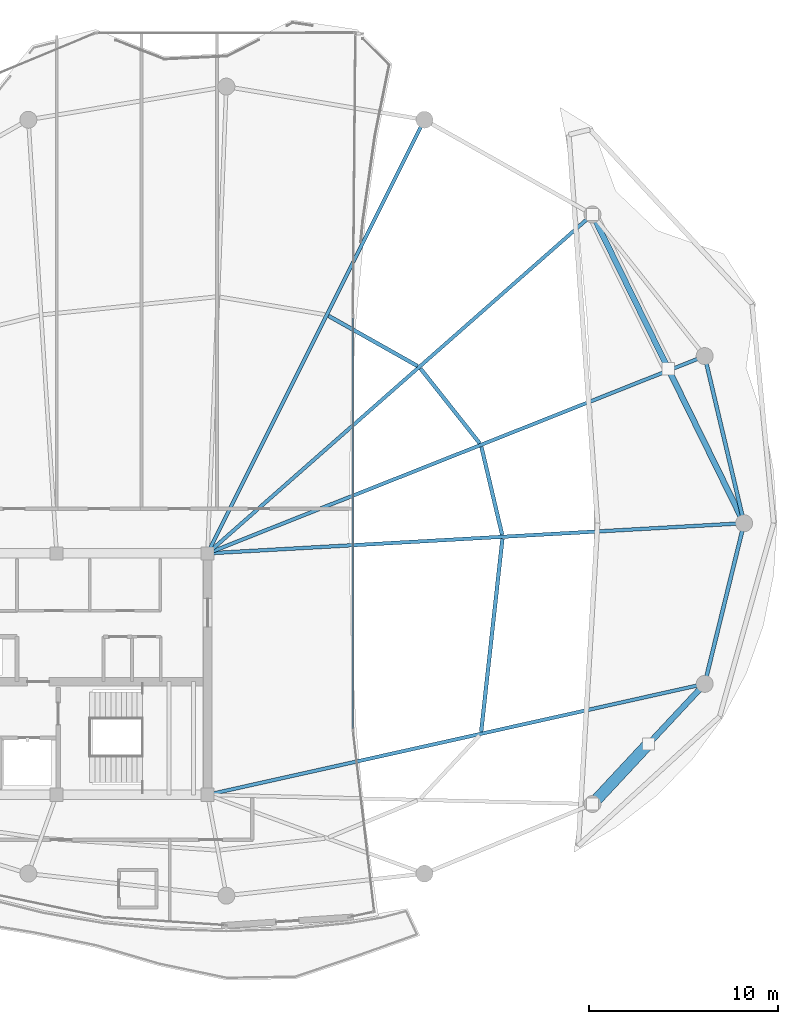
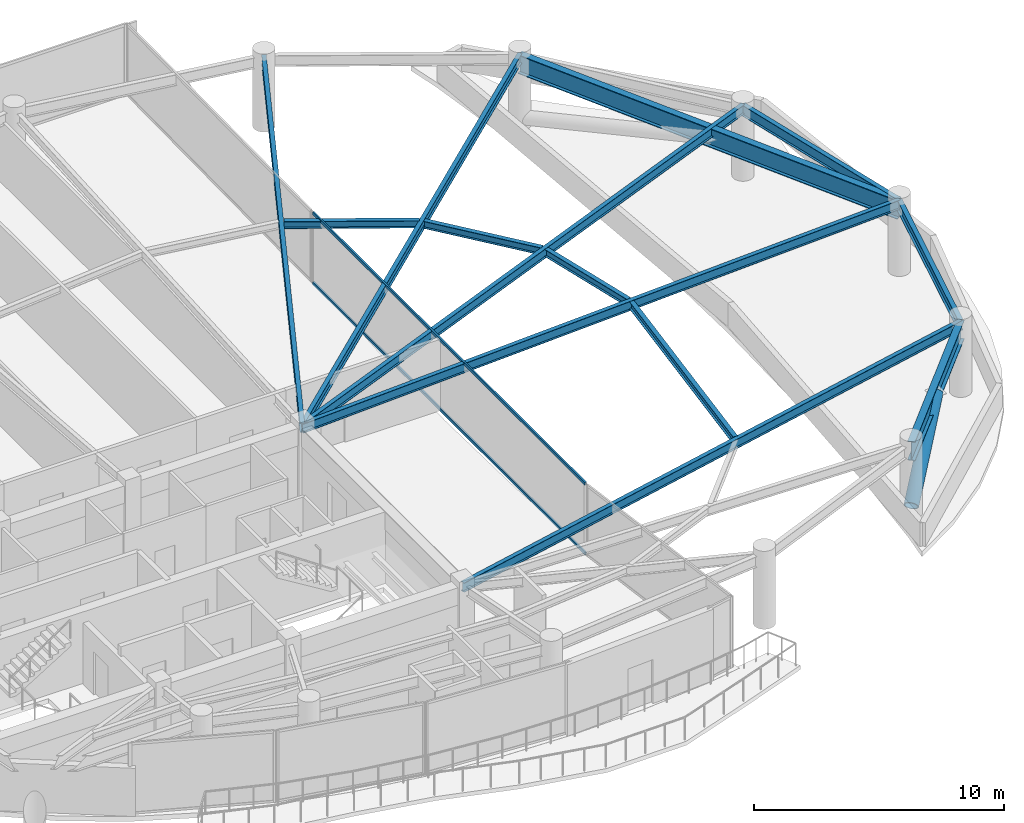
# One storey, part 12 of 22: 13 beams, 3 members, 1 element without a shape of its own.
"""IFC4 building model written with IfcOpenShell, lengths in metres."""

from ifc_helpers import new_model, si_unit, direction, frame, origin, origin_2d, place, context, subcontext, project, spatial, hollow_rectangle, hollow_circle, i_section, extrude, material, layer, layer_set, material_profile, profile_set, type_object, element, aggregate, save


model = new_model("IFC4")

# Units and contexts
model_context = context("Model", 3, precision=1e-05, world=origin(), true_north=direction((0.0, 1.0)))
body_context = subcontext(model_context, "Body", "Model", "MODEL_VIEW")
ifc_project = project(units=[si_unit("LENGTHUNIT", "METRE"), si_unit("AREAUNIT", "SQUARE_METRE"), si_unit("VOLUMEUNIT", "CUBIC_METRE"), si_unit("PLANEANGLEUNIT", "RADIAN"), si_unit("MASSUNIT", "GRAM", prefix="KILO")], contexts=[model_context])

# Site, building, storey
site_placement = place(None, origin())
site = spatial("IfcSite", under=ifc_project, at=site_placement, CompositionType="ELEMENT")
building_placement = place(site_placement, origin())
building = spatial("IfcBuilding", under=site, at=building_placement, Name="Kazevale Care Tower and Concert Hall", CompositionType="ELEMENT")
storey_placement = place(building_placement, frame((0.0, 0.0, 277.60009765625)))
storey = spatial("IfcBuildingStorey", under=building, at=storey_placement, Name="L73", CompositionType="ELEMENT", Elevation=277.60009765625)

# Curtain wall, members
ifc_material_1 = material(Name="Aluminium 6063-T6 and Low-E Glass", Category="aluminium")
ifc_layer = layer(ifc_material_1, 0.179931640625)
ifc_layer_set = layer_set([ifc_layer], Name="Aluminium 6063-T6 and Low-E Glass")
curtain_wall_type = type_object("IfcCurtainWallType", Name="Waist & Upper Residential Curtain Wall CW-4", PredefinedType="NOTDEFINED", material=ifc_layer_set)
curtain_wall_placement = place(storey_placement, origin())
curtain_wall = element("IfcCurtainWall", 1, at=curtain_wall_placement, inside=storey, type_object=curtain_wall_type, Name="cw:L73:f14", PredefinedType="NOTDEFINED")
ifc_material_2 = material(Name="Aluminium 6063-T6", Category="aluminium")
ifc_material_profile_1 = material_profile(ifc_material_2, hollow_rectangle(XDim=0.080078125, YDim=0.139892578125, WallThickness=0.00390625, at=origin_2d()), Name="ALU80x140x4")
ifc_profile_set_1 = profile_set([ifc_material_profile_1], Name="Aluminium 6063-T6")
member_type_1 = type_object("IfcMemberType", Name="CW-4 Transom ALU80x140x4", PredefinedType="USERDEFINED", material=ifc_profile_set_1)
member_1_placement = place(storey_placement, frame((51.7119140625, 48.8779296875, 0.039794921875), z_axis=(0.0, -1.0, 0.0), x_axis=(1.0, 0.0, 0.0)))
member_1 = element("IfcMember", 2, at=member_1_placement, type_object=member_type_1, Name="CW-4 transom 1.1", ObjectType="TRANSOM", PredefinedType="USERDEFINED", context=body_context, shape_type="SweptSolid", body=[
    extrude(hollow_rectangle(XDim=0.080078125, YDim=0.139892578125, WallThickness=0.00390625, at=origin_2d()), origin(), (0.0, 0.0, 1.0), 21.755859375),
])
member_2_placement = place(storey_placement, frame((51.7119140625, 48.8779296875, 3.43994140625), z_axis=(0.0, -1.0, 0.0), x_axis=(1.0, 0.0, 0.0)))
member_2 = element("IfcMember", 3, at=member_2_placement, type_object=member_type_1, Name="CW-4 transom 1.2", ObjectType="TRANSOM", PredefinedType="USERDEFINED", context=body_context, shape_type="SweptSolid", body=[
    extrude(hollow_rectangle(XDim=0.080078125, YDim=0.139892578125, WallThickness=0.00390625, at=origin_2d()), origin(), (0.0, 0.0, 1.0), 21.755859375),
])
aggregate(curtain_wall, [member_1, member_2])

# Member
ifc_material_3 = material(Name="Steel ASTM A572 Gr 50", Category="steel")
ifc_material_profile_2 = material_profile(ifc_material_3, hollow_circle(Radius=0.304931640625, WallThickness=0.0400390625, at=origin_2d()), Name="CHS610x40")
ifc_profile_set_2 = profile_set([ifc_material_profile_2], Name="Steel ASTM A572 Gr 50")
member_type_2 = type_object("IfcMemberType", Name="Portal Arch Brace CHS610x40", PredefinedType="BRACE", material=ifc_profile_set_2)
member_3_placement = place(storey_placement, frame((64.409912109375, 23.110107421875, 0.349853515625), z_axis=(0.586382396126, 0.629812773348, 0.509403137054), x_axis=(-0.731891084482, 0.681421631925, 0.0)))
element("IfcMember", 4, at=member_3_placement, inside=storey, type_object=member_type_2, Name="brace:L73:portal_knee:2", PredefinedType="BRACE", context=body_context, shape_type="SweptSolid", body=[
    extrude(hollow_circle(Radius=0.304931640625, WallThickness=0.0400390625, at=origin_2d()), origin(), (0.0, 0.0, 1.0), 5.06494140625),
])

# Beams
ifc_material_profile_3 = material_profile(ifc_material_3, i_section(OverallWidth=0.30810546875, OverallDepth=0.927001953125, WebThickness=0.019287109375, FlangeThickness=0.031982421875, at=origin_2d()), Name="W920x289")
ifc_profile_set_3 = profile_set([ifc_material_profile_3], Name="Steel ASTM A572 Gr 50")
beam_type_1 = type_object("IfcBeamType", Name="Portal Arch Chord W920x289", PredefinedType="BEAM", material=ifc_profile_set_3)
beam_1_placement = place(storey_placement, frame((64.409912109375, 54.3701171875, 3.016357421875), z_axis=(0.440841065701, -0.897585179686, 0.0), x_axis=(0.897585179686, 0.440841065701, 0.0)))
element("IfcBeam", 5, at=beam_1_placement, inside=storey, type_object=beam_type_1, Name="beam:L73:portal_arch:1", PredefinedType="BEAM", context=body_context, shape_type="SweptSolid", body=[
    extrude(i_section(OverallWidth=0.30810546875, OverallDepth=0.927001953125, WebThickness=0.019287109375, FlangeThickness=0.031982421875, at=origin_2d()), origin(), (0.0, 0.0, 1.0), 18.238037109375),
])
beam_2_placement = place(storey_placement, frame((64.409912109375, 23.110107421875, 3.016357421875), z_axis=(0.682623556843, 0.730770196192, 0.0), x_axis=(-0.730770196192, 0.682623556843, 0.0)))
element("IfcBeam", 6, at=beam_2_placement, inside=storey, type_object=beam_type_1, Name="beam:L73:portal_arch:2", PredefinedType="BEAM", context=body_context, shape_type="SweptSolid", body=[
    extrude(i_section(OverallWidth=0.30810546875, OverallDepth=0.927001953125, WebThickness=0.019287109375, FlangeThickness=0.031982421875, at=origin_2d()), origin(), (0.0, 0.0, 1.0), 8.716552734375),
])
ifc_material_profile_4 = material_profile(ifc_material_3, i_section(OverallWidth=0.19091796875, OverallDepth=0.4599609375, WebThickness=0.010009765625, FlangeThickness=0.01611328125, at=origin_2d()), Name="W460x82")
ifc_profile_set_4 = profile_set([ifc_material_profile_4], Name="Steel ASTM A572 Gr 50")
beam_type_2 = type_object("IfcBeamType", Name="Radial Floor Beam W460x82", PredefinedType="BEAM", material=ifc_profile_set_4)
beam_3_placement = place(storey_placement, frame((44.0, 36.39990234375, 3.25), z_axis=(0.998422130452, 0.056153801503, 0.0), x_axis=(-0.056153801503, 0.998422130452, 0.0)))
element("IfcBeam", 7, at=beam_3_placement, inside=storey, type_object=beam_type_2, Name="beam:L73:rad:01", PredefinedType="BEAM", context=body_context, shape_type="SweptSolid", body=[
    extrude(i_section(OverallWidth=0.19091796875, OverallDepth=0.4599609375, WebThickness=0.010009765625, FlangeThickness=0.01611328125, at=origin_2d()), origin(), (0.0, 0.0, 1.0), 28.494873046875),
])
beam_4_placement = place(storey_placement, frame((44.0, 36.39990234375, 3.25), z_axis=(0.929492585064, 0.368840798057, 0.0), x_axis=(-0.368840798057, 0.929492585064, 0.0)))
element("IfcBeam", 8, at=beam_4_placement, inside=storey, type_object=beam_type_2, Name="beam:L73:rad:02", PredefinedType="BEAM", context=body_context, shape_type="SweptSolid", body=[
    extrude(i_section(OverallWidth=0.19091796875, OverallDepth=0.4599609375, WebThickness=0.010009765625, FlangeThickness=0.01611328125, at=origin_2d()), origin(), (0.0, 0.0, 1.0), 28.359619140625),
])
beam_5_placement = place(storey_placement, frame((44.0, 36.39990234375, 3.25), z_axis=(0.750540377871, 0.660824591844, 0.0), x_axis=(-0.660824591844, 0.750540377871, 0.0)))
element("IfcBeam", 9, at=beam_5_placement, inside=storey, type_object=beam_type_2, Name="beam:L73:rad:03", PredefinedType="BEAM", context=body_context, shape_type="SweptSolid", body=[
    extrude(i_section(OverallWidth=0.19091796875, OverallDepth=0.4599609375, WebThickness=0.010009765625, FlangeThickness=0.01611328125, at=origin_2d()), origin(), (0.0, 0.0, 1.0), 27.193603515625),
])
beam_6_placement = place(storey_placement, frame((44.0, 36.39990234375, 3.25), z_axis=(0.447369347408, 0.894349298093, 0.0), x_axis=(-0.894349298093, 0.447369347408, 0.0)))
element("IfcBeam", 10, at=beam_6_placement, inside=storey, type_object=beam_type_2, Name="beam:L73:rad:04", PredefinedType="BEAM", context=body_context, shape_type="SweptSolid", body=[
    extrude(i_section(OverallWidth=0.19091796875, OverallDepth=0.4599609375, WebThickness=0.010009765625, FlangeThickness=0.01611328125, at=origin_2d()), origin(), (0.0, 0.0, 1.0), 25.705810546875),
])
beam_7_placement = place(storey_placement, frame((44.0, 23.60009765625, 3.25), z_axis=(0.976013614534, 0.217709495072, 0.0), x_axis=(-0.217709495072, 0.976013614534, 0.0)))
element("IfcBeam", 11, at=beam_7_placement, inside=storey, type_object=beam_type_2, Name="beam:L73:rad:16", PredefinedType="BEAM", context=body_context, shape_type="SweptSolid", body=[
    extrude(i_section(OverallWidth=0.19091796875, OverallDepth=0.4599609375, WebThickness=0.010009765625, FlangeThickness=0.01611328125, at=origin_2d()), origin(), (0.0, 0.0, 1.0), 27.0078125),
])
ifc_material_profile_5 = material_profile(ifc_material_3, i_section(OverallWidth=0.205078125, OverallDepth=0.35400390625, WebThickness=0.009521484375, FlangeThickness=0.016845703125, at=origin_2d()), Name="W360x79")
ifc_profile_set_5 = profile_set([ifc_material_profile_5], Name="Steel ASTM A572 Gr 50")
beam_type_3 = type_object("IfcBeamType", Name="Secondary Floor Joist W360x79", PredefinedType="JOIST", material=ifc_profile_set_5)
beam_8_placement = place(storey_placement, frame((59.623046875, 37.382080078125, 3.302978515625), z_axis=(-0.2295328947, 0.973300904269, 0.0), x_axis=(-0.973300904269, -0.2295328947, 0.0)))
element("IfcBeam", 12, at=beam_8_placement, inside=storey, type_object=beam_type_3, Name="beam:L73:joist:01", PredefinedType="JOIST", context=body_context, shape_type="SweptSolid", body=[
    extrude(i_section(OverallWidth=0.205078125, OverallDepth=0.35400390625, WebThickness=0.009521484375, FlangeThickness=0.016845703125, at=origin_2d()), origin(), (0.0, 0.0, 1.0), 4.797119140625),
])
beam_9_placement = place(storey_placement, frame((58.43310546875, 42.235107421875, 3.302978515625), z_axis=(-0.621004461172, 0.783807029315, 0.0), x_axis=(-0.783807029315, -0.621004461172, 0.0)))
element("IfcBeam", 13, at=beam_9_placement, inside=storey, type_object=beam_type_3, Name="beam:L73:joist:02", PredefinedType="JOIST", context=body_context, shape_type="SweptSolid", body=[
    extrude(i_section(OverallWidth=0.205078125, OverallDepth=0.35400390625, WebThickness=0.009521484375, FlangeThickness=0.016845703125, at=origin_2d()), origin(), (0.0, 0.0, 1.0), 5.0595703125),
])
beam_10_placement = place(storey_placement, frame((55.134033203125, 46.3349609375, 3.302978515625), z_axis=(-0.871253873352, 0.490832647823, 0.0), x_axis=(-0.490832647823, -0.871253873352, 0.0)))
element("IfcBeam", 14, at=beam_10_placement, inside=storey, type_object=beam_type_3, Name="beam:L73:joist:03", PredefinedType="JOIST", context=body_context, shape_type="SweptSolid", body=[
    extrude(i_section(OverallWidth=0.205078125, OverallDepth=0.35400390625, WebThickness=0.009521484375, FlangeThickness=0.016845703125, at=origin_2d()), origin(), (0.0, 0.0, 1.0), 5.415283203125),
])
beam_11_placement = place(storey_placement, frame((58.509033203125, 26.93798828125, 3.302978515625), z_axis=(0.109414251474, 0.993996238209, 0.0), x_axis=(-0.993996238209, 0.109414251474, 0.0)))
element("IfcBeam", 15, at=beam_11_placement, inside=storey, type_object=beam_type_3, Name="beam:L73:joist:16", PredefinedType="JOIST", context=body_context, shape_type="SweptSolid", body=[
    extrude(i_section(OverallWidth=0.205078125, OverallDepth=0.35400390625, WebThickness=0.009521484375, FlangeThickness=0.016845703125, at=origin_2d()), origin(), (0.0, 0.0, 1.0), 10.2998046875),
])
ifc_material_profile_6 = material_profile(ifc_material_3, i_section(OverallWidth=0.208984375, OverallDepth=0.532958984375, WebThickness=0.01025390625, FlangeThickness=0.015625, at=origin_2d()), Name="W530x92")
ifc_profile_set_6 = profile_set([ifc_material_profile_6], Name="Steel ASTM A572 Gr 50")
beam_type_4 = type_object("IfcBeamType", Name="Upper Ring Beam W530x92", PredefinedType="BEAM", material=ifc_profile_set_6)
beam_12_placement = place(storey_placement, frame((72.449951171875, 38.0, 3.21337890625), z_axis=(-0.229571460706, 0.973291808467, 0.0), x_axis=(-0.973291808467, -0.229571460706, 0.0)))
element("IfcBeam", 16, at=beam_12_placement, inside=storey, type_object=beam_type_4, Name="beam:L73:ring:01", PredefinedType="BEAM", context=body_context, shape_type="SweptSolid", body=[
    extrude(i_section(OverallWidth=0.208984375, OverallDepth=0.532958984375, WebThickness=0.01025390625, FlangeThickness=0.015625, at=origin_2d()), origin(), (0.0, 0.0, 1.0), 9.103271484375),
])
beam_13_placement = place(storey_placement, frame((70.360107421875, 29.47998046875, 3.21337890625), z_axis=(0.238224499566, 0.971210115169, 0.0), x_axis=(-0.971210115169, 0.238224499566, 0.0)))
element("IfcBeam", 17, at=beam_13_placement, inside=storey, type_object=beam_type_4, Name="beam:L73:ring:16", PredefinedType="BEAM", context=body_context, shape_type="SweptSolid", body=[
    extrude(i_section(OverallWidth=0.208984375, OverallDepth=0.532958984375, WebThickness=0.01025390625, FlangeThickness=0.015625, at=origin_2d()), origin(), (0.0, 0.0, 1.0), 8.7724609375),
])

save(model, "model.ifc")
